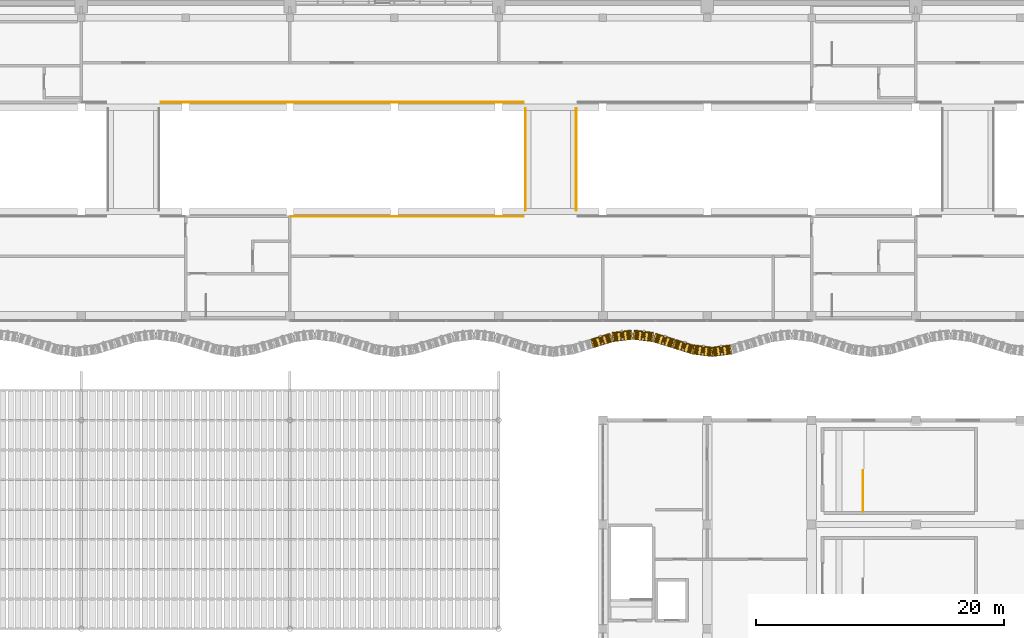
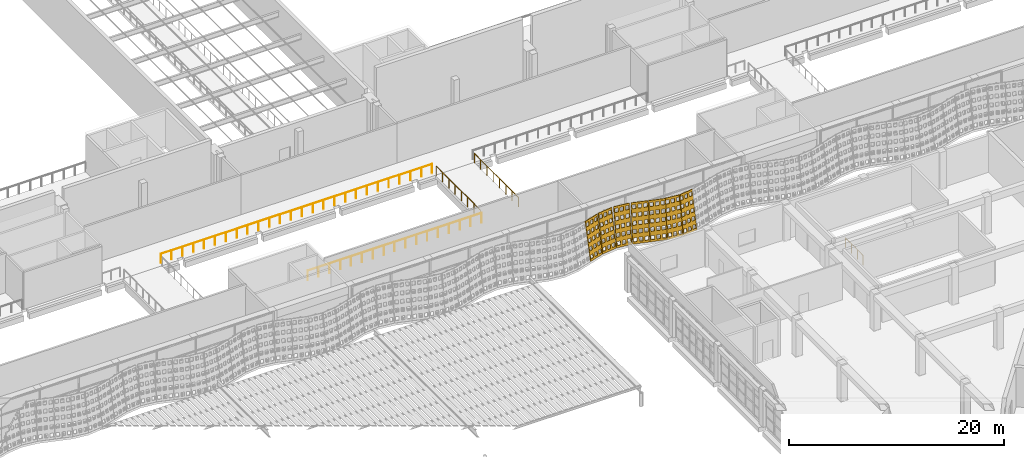
# One storey, part 145 of 162: 7 coverings, 5 railings.
"""IFC4 building model written with IfcOpenShell, lengths in metres."""

from ifc_helpers import new_model, si_unit, direction, frame, origin, origin_2d, place, context, subcontext, project, spatial, polyline, circle, outline, extrude, material, layer, layer_set, type_object, element, save


model = new_model("IFC4")

# Units and contexts
model_context = context("Model", 3, precision=1e-05, world=origin(), true_north=direction((0.0, 1.0)))
body_context = subcontext(model_context, "Body", "Model", "MODEL_VIEW")
ifc_project = project(units=[si_unit("LENGTHUNIT", "METRE"), si_unit("AREAUNIT", "SQUARE_METRE"), si_unit("VOLUMEUNIT", "CUBIC_METRE"), si_unit("PLANEANGLEUNIT", "RADIAN"), si_unit("MASSUNIT", "GRAM", prefix="KILO")], contexts=[model_context])

# Site, building, storey
site_placement = place(None, origin())
site = spatial("IfcSite", under=ifc_project, at=site_placement, CompositionType="ELEMENT")
building_placement = place(site_placement, origin())
building = spatial("IfcBuilding", under=site, at=building_placement, Name="Rain Tree Exposition and Congress Centre", CompositionType="ELEMENT")
storey_placement = place(building_placement, frame((0.0, 0.0, 6.0)))
storey = spatial("IfcBuildingStorey", under=building, at=storey_placement, Name="L01", CompositionType="ELEMENT", Elevation=6.0)

# Railings
ifc_material_1 = material(Name="Aluminium and glass balustrade", Category="aluminium")
railing_type_1 = type_object("IfcRailingType", Name="Concourse guard 1100", PredefinedType="GUARDRAIL", material=ifc_material_1)
railing_1_placement = place(storey_placement, frame((126.10009765625, 83.60009765625, 0.0)))
element("IfcRailing", 1, at=railing_1_placement, inside=storey, type_object=railing_type_1, Name="Concourse promenade guard 8", PredefinedType="GUARDRAIL", context=body_context, shape_type="SweptSolid", body=[
    extrude(circle(Radius=0.02392578125, at=origin_2d()), frame((0.0, 0.0, 1.076171875), z_axis=(1.0, 0.0, 0.0), x_axis=(0.0, 1.0, 0.0)), (0.0, 0.0, 1.0), 18.699951171875),
    extrude(circle(Radius=0.02099609375, at=origin_2d()), origin(), (0.0, 0.0, 1.0), 1.052001953125),
    extrude(circle(Radius=0.02099609375, at=origin_2d()), frame((1.168701171875, 0.0, 0.0)), (0.0, 0.0, 1.0), 1.052001953125),
    extrude(circle(Radius=0.02099609375, at=origin_2d()), frame((2.33740234375, 0.0, 0.0)), (0.0, 0.0, 1.0), 1.052001953125),
    extrude(circle(Radius=0.02099609375, at=origin_2d()), frame((3.50634765625, 0.0, 0.0)), (0.0, 0.0, 1.0), 1.052001953125),
    extrude(circle(Radius=0.02099609375, at=origin_2d()), frame((4.675048828125, 0.0, 0.0)), (0.0, 0.0, 1.0), 1.052001953125),
    extrude(circle(Radius=0.02099609375, at=origin_2d()), frame((5.84375, 0.0, 0.0)), (0.0, 0.0, 1.0), 1.052001953125),
    extrude(circle(Radius=0.02099609375, at=origin_2d()), frame((7.012451171875, 0.0, 0.0)), (0.0, 0.0, 1.0), 1.052001953125),
    extrude(circle(Radius=0.02099609375, at=origin_2d()), frame((8.18115234375, 0.0, 0.0)), (0.0, 0.0, 1.0), 1.052001953125),
    extrude(circle(Radius=0.02099609375, at=origin_2d()), frame((9.35009765625, 0.0, 0.0)), (0.0, 0.0, 1.0), 1.052001953125),
    extrude(circle(Radius=0.02099609375, at=origin_2d()), frame((10.518798828125, 0.0, 0.0)), (0.0, 0.0, 1.0), 1.052001953125),
    extrude(circle(Radius=0.02099609375, at=origin_2d()), frame((11.6875, 0.0, 0.0)), (0.0, 0.0, 1.0), 1.052001953125),
    extrude(circle(Radius=0.02099609375, at=origin_2d()), frame((12.856201171875, 0.0, 0.0)), (0.0, 0.0, 1.0), 1.052001953125),
    extrude(circle(Radius=0.02099609375, at=origin_2d()), frame((14.02490234375, 0.0, 0.0)), (0.0, 0.0, 1.0), 1.052001953125),
    extrude(circle(Radius=0.02099609375, at=origin_2d()), frame((15.193603515625, 0.0, 0.0)), (0.0, 0.0, 1.0), 1.052001953125),
    extrude(circle(Radius=0.02099609375, at=origin_2d()), frame((16.362548828125, 0.0, 0.0)), (0.0, 0.0, 1.0), 1.052001953125),
    extrude(circle(Radius=0.02099609375, at=origin_2d()), frame((17.53125, 0.0, 0.0)), (0.0, 0.0, 1.0), 1.052001953125),
    extrude(circle(Radius=0.02099609375, at=origin_2d()), frame((18.699951171875, 0.0, 0.0)), (0.0, 0.0, 1.0), 1.052001953125),
])
railing_2_placement = place(storey_placement, frame((115.60009765625, 92.800048828125, 0.0)))
element("IfcRailing", 2, at=railing_2_placement, inside=storey, type_object=railing_type_1, Name="Concourse promenade guard 22", PredefinedType="GUARDRAIL", context=body_context, shape_type="SweptSolid", body=[
    extrude(circle(Radius=0.02392578125, at=origin_2d()), frame((0.0, 0.0, 1.076171875), z_axis=(1.0, 0.0, 0.0), x_axis=(0.0, 1.0, 0.0)), (0.0, 0.0, 1.0), 29.199951171875),
    extrude(circle(Radius=0.02099609375, at=origin_2d()), origin(), (0.0, 0.0, 1.0), 1.052001953125),
    extrude(circle(Radius=0.02099609375, at=origin_2d()), frame((1.16796875, 0.0, 0.0)), (0.0, 0.0, 1.0), 1.052001953125),
    extrude(circle(Radius=0.02099609375, at=origin_2d()), frame((2.3359375, 0.0, 0.0)), (0.0, 0.0, 1.0), 1.052001953125),
    extrude(circle(Radius=0.02099609375, at=origin_2d()), frame((3.50390625, 0.0, 0.0)), (0.0, 0.0, 1.0), 1.052001953125),
    extrude(circle(Radius=0.02099609375, at=origin_2d()), frame((4.671875, 0.0, 0.0)), (0.0, 0.0, 1.0), 1.052001953125),
    extrude(circle(Radius=0.02099609375, at=origin_2d()), frame((5.840087890625, 0.0, 0.0)), (0.0, 0.0, 1.0), 1.052001953125),
    extrude(circle(Radius=0.02099609375, at=origin_2d()), frame((7.008056640625, 0.0, 0.0)), (0.0, 0.0, 1.0), 1.052001953125),
    extrude(circle(Radius=0.02099609375, at=origin_2d()), frame((8.176025390625, 0.0, 0.0)), (0.0, 0.0, 1.0), 1.052001953125),
    extrude(circle(Radius=0.02099609375, at=origin_2d()), frame((9.343994140625, 0.0, 0.0)), (0.0, 0.0, 1.0), 1.052001953125),
    extrude(circle(Radius=0.02099609375, at=origin_2d()), frame((10.511962890625, 0.0, 0.0)), (0.0, 0.0, 1.0), 1.052001953125),
    extrude(circle(Radius=0.02099609375, at=origin_2d()), frame((11.679931640625, 0.0, 0.0)), (0.0, 0.0, 1.0), 1.052001953125),
    extrude(circle(Radius=0.02099609375, at=origin_2d()), frame((12.847900390625, 0.0, 0.0)), (0.0, 0.0, 1.0), 1.052001953125),
    extrude(circle(Radius=0.02099609375, at=origin_2d()), frame((14.015869140625, 0.0, 0.0)), (0.0, 0.0, 1.0), 1.052001953125),
    extrude(circle(Radius=0.02099609375, at=origin_2d()), frame((15.18408203125, 0.0, 0.0)), (0.0, 0.0, 1.0), 1.052001953125),
    extrude(circle(Radius=0.02099609375, at=origin_2d()), frame((16.35205078125, 0.0, 0.0)), (0.0, 0.0, 1.0), 1.052001953125),
    extrude(circle(Radius=0.02099609375, at=origin_2d()), frame((17.52001953125, 0.0, 0.0)), (0.0, 0.0, 1.0), 1.052001953125),
    extrude(circle(Radius=0.02099609375, at=origin_2d()), frame((18.68798828125, 0.0, 0.0)), (0.0, 0.0, 1.0), 1.052001953125),
    extrude(circle(Radius=0.02099609375, at=origin_2d()), frame((19.85595703125, 0.0, 0.0)), (0.0, 0.0, 1.0), 1.052001953125),
    extrude(circle(Radius=0.02099609375, at=origin_2d()), frame((21.02392578125, 0.0, 0.0)), (0.0, 0.0, 1.0), 1.052001953125),
    extrude(circle(Radius=0.02099609375, at=origin_2d()), frame((22.19189453125, 0.0, 0.0)), (0.0, 0.0, 1.0), 1.052001953125),
    extrude(circle(Radius=0.02099609375, at=origin_2d()), frame((23.35986328125, 0.0, 0.0)), (0.0, 0.0, 1.0), 1.052001953125),
    extrude(circle(Radius=0.02099609375, at=origin_2d()), frame((24.528076171875, 0.0, 0.0)), (0.0, 0.0, 1.0), 1.052001953125),
    extrude(circle(Radius=0.02099609375, at=origin_2d()), frame((25.696044921875, 0.0, 0.0)), (0.0, 0.0, 1.0), 1.052001953125),
    extrude(circle(Radius=0.02099609375, at=origin_2d()), frame((26.864013671875, 0.0, 0.0)), (0.0, 0.0, 1.0), 1.052001953125),
    extrude(circle(Radius=0.02099609375, at=origin_2d()), frame((28.031982421875, 0.0, 0.0)), (0.0, 0.0, 1.0), 1.052001953125),
    extrude(circle(Radius=0.02099609375, at=origin_2d()), frame((29.199951171875, 0.0, 0.0)), (0.0, 0.0, 1.0), 1.052001953125),
])
for number, where, name in (
    (3, (144.949951171875, 84.10009765625, 0.0), "Concourse bridge guard 5.1"),
    (4, (149.050048828125, 84.10009765625, 0.0), "Concourse bridge guard 5.2"),
):
    element("IfcRailing", number, at=place(storey_placement, frame(where)), inside=storey, type_object=railing_type_1, Name=name, PredefinedType="GUARDRAIL", context=body_context, shape_type="SweptSolid", body=[
        extrude(circle(Radius=0.02392578125, at=origin_2d()), frame((0.0, 0.0, 1.076171875), z_axis=(0.0, 1.0, 0.0), x_axis=(-1.0, 0.0, 0.0)), (0.0, 0.0, 1.0), 8.199951171875),
        extrude(circle(Radius=0.02099609375, at=origin_2d()), origin(), (0.0, 0.0, 1.0), 1.052001953125),
        extrude(circle(Radius=0.02099609375, at=origin_2d()), frame((0.0, 1.17138671875, 0.0)), (0.0, 0.0, 1.0), 1.052001953125),
        extrude(circle(Radius=0.02099609375, at=origin_2d()), frame((0.0, 2.3427734375, 0.0)), (0.0, 0.0, 1.0), 1.052001953125),
        extrude(circle(Radius=0.02099609375, at=origin_2d()), frame((0.0, 3.51416015625, 0.0)), (0.0, 0.0, 1.0), 1.052001953125),
        extrude(circle(Radius=0.02099609375, at=origin_2d()), frame((0.0, 4.685791015625, 0.0)), (0.0, 0.0, 1.0), 1.052001953125),
        extrude(circle(Radius=0.02099609375, at=origin_2d()), frame((0.0, 5.857177734375, 0.0)), (0.0, 0.0, 1.0), 1.052001953125),
        extrude(circle(Radius=0.02099609375, at=origin_2d()), frame((0.0, 7.028564453125, 0.0)), (0.0, 0.0, 1.0), 1.052001953125),
        extrude(circle(Radius=0.02099609375, at=origin_2d()), frame((0.0, 8.199951171875, 0.0)), (0.0, 0.0, 1.0), 1.052001953125),
    ])
ifc_material_2 = material(Name="Steel S355J2H", Category="steel")
railing_type_2 = type_object("IfcRailingType", Name="Steel guard 1100", PredefinedType="GUARDRAIL", material=ifc_material_2)
railing_3_placement = place(storey_placement, frame((172.14990234375, 59.85009765625, 0.0)))
element("IfcRailing", 5, at=railing_3_placement, inside=storey, type_object=railing_type_2, Name="L01 ST-G4 top well guard 1", PredefinedType="GUARDRAIL", context=body_context, shape_type="SweptSolid", body=[
    extrude(circle(Radius=0.02392578125, at=origin_2d()), frame((0.0, 0.0, 1.076171875), z_axis=(0.0, 1.0, 0.0), x_axis=(-1.0, 0.0, 0.0)), (0.0, 0.0, 1.0), 3.2998046875),
    extrude(circle(Radius=0.02099609375, at=origin_2d()), origin(), (0.0, 0.0, 1.0), 1.052001953125),
    extrude(circle(Radius=0.02099609375, at=origin_2d()), frame((0.0, 1.099853515625, 0.0)), (0.0, 0.0, 1.0), 1.052001953125),
    extrude(circle(Radius=0.02099609375, at=origin_2d()), frame((0.0, 2.199951171875, 0.0)), (0.0, 0.0, 1.0), 1.052001953125),
    extrude(circle(Radius=0.02099609375, at=origin_2d()), frame((0.0, 3.2998046875, 0.0)), (0.0, 0.0, 1.0), 1.052001953125),
])

# Coverings
ifc_material_3 = material(Name="Perforated terracotta", Category="masonry")
ifc_layer = layer(ifc_material_3, 0.080078125)
ifc_layer_set = layer_set([ifc_layer], Name="Perforated terracotta")
covering_type = type_object("IfcCoveringType", Name="Terracotta screen 80", PredefinedType="CLADDING", material=ifc_layer_set)
covering_1_placement = place(storey_placement, frame((150.3994140625, 73.001708984375, 0.0126953125), z_axis=(-0.290138898064, 0.943714942124, -0.158812870519), x_axis=(-0.955845867297, -0.293868470528, 0.0)))
element("IfcCovering", 6, at=covering_1_placement, inside=storey, type_object=covering_type, Name="concourse/screen/L01/095", PredefinedType="CLADDING", context=body_context, shape_type="SweptSolid", body=[
    extrude(outline(polyline([(-1.659912109375, 0.0), (-1.659912109375, 4.29150390625), (-0.014892578125, 4.29150390625), (-0.014892578125, 0.0), (-1.659912109375, 0.0)]), holes=[polyline([(-0.119140625, 0.221435546875), (-0.119140625, 0.63671875), (-0.458984375, 0.63671875), (-0.458984375, 0.221435546875), (-0.119140625, 0.221435546875)]), polyline([(-0.119140625, 1.079833984375), (-0.119140625, 1.4951171875), (-0.458984375, 1.4951171875), (-0.458984375, 1.079833984375), (-0.119140625, 1.079833984375)]), polyline([(-0.119140625, 1.93798828125), (-0.119140625, 2.353271484375), (-0.458984375, 2.353271484375), (-0.458984375, 1.93798828125), (-0.119140625, 1.93798828125)]), polyline([(-0.119140625, 2.79638671875), (-0.119140625, 3.211669921875), (-0.458984375, 3.211669921875), (-0.458984375, 2.79638671875), (-0.119140625, 2.79638671875)]), polyline([(-0.119140625, 3.654541015625), (-0.119140625, 4.06982421875), (-0.458984375, 4.06982421875), (-0.458984375, 3.654541015625), (-0.119140625, 3.654541015625)]), polyline([(-0.66748046875, 0.221435546875), (-0.66748046875, 0.63671875), (-1.00732421875, 0.63671875), (-1.00732421875, 0.221435546875), (-0.66748046875, 0.221435546875)]), polyline([(-0.66748046875, 1.079833984375), (-0.66748046875, 1.4951171875), (-1.00732421875, 1.4951171875), (-1.00732421875, 1.079833984375), (-0.66748046875, 1.079833984375)]), polyline([(-0.66748046875, 1.93798828125), (-0.66748046875, 2.353271484375), (-1.00732421875, 2.353271484375), (-1.00732421875, 1.93798828125), (-0.66748046875, 1.93798828125)]), polyline([(-0.66748046875, 2.79638671875), (-0.66748046875, 3.211669921875), (-1.00732421875, 3.211669921875), (-1.00732421875, 2.79638671875), (-0.66748046875, 2.79638671875)]), polyline([(-0.66748046875, 3.654541015625), (-0.66748046875, 4.06982421875), (-1.00732421875, 4.06982421875), (-1.00732421875, 3.654541015625), (-0.66748046875, 3.654541015625)]), polyline([(-1.2158203125, 0.221435546875), (-1.2158203125, 0.63671875), (-1.5556640625, 0.63671875), (-1.5556640625, 0.221435546875), (-1.2158203125, 0.221435546875)]), polyline([(-1.2158203125, 1.079833984375), (-1.2158203125, 1.4951171875), (-1.5556640625, 1.4951171875), (-1.5556640625, 1.079833984375), (-1.2158203125, 1.079833984375)]), polyline([(-1.2158203125, 1.93798828125), (-1.2158203125, 2.353271484375), (-1.5556640625, 2.353271484375), (-1.5556640625, 1.93798828125), (-1.2158203125, 1.93798828125)]), polyline([(-1.2158203125, 2.79638671875), (-1.2158203125, 3.211669921875), (-1.5556640625, 3.211669921875), (-1.5556640625, 2.79638671875), (-1.2158203125, 2.79638671875)]), polyline([(-1.2158203125, 3.654541015625), (-1.2158203125, 4.06982421875), (-1.5556640625, 4.06982421875), (-1.5556640625, 3.654541015625), (-1.2158203125, 3.654541015625)])]), origin(), (0.0, 0.0, 1.0), 0.079833984375),
])
covering_2_placement = place(storey_placement, frame((151.999755859375, 73.496826171875, 0.01318359375), z_axis=(-0.124968640969, 0.978413018317, -0.164592844203), x_axis=(-0.991941518713, -0.126696580272, 0.0)))
element("IfcCovering", 7, at=covering_2_placement, inside=storey, type_object=covering_type, Name="concourse/screen/L01/096", PredefinedType="CLADDING", context=body_context, shape_type="SweptSolid", body=[
    extrude(outline(polyline([(-1.59814453125, 0.0), (-1.59814453125, 4.295166015625), (-0.014892578125, 4.295166015625), (-0.014892578125, 0.0), (-1.59814453125, 0.0)]), holes=[polyline([(-0.115234375, 0.2216796875), (-0.115234375, 0.63720703125), (-0.4423828125, 0.63720703125), (-0.4423828125, 0.2216796875), (-0.115234375, 0.2216796875)]), polyline([(-0.115234375, 1.080810546875), (-0.115234375, 1.496337890625), (-0.4423828125, 1.496337890625), (-0.4423828125, 1.080810546875), (-0.115234375, 1.080810546875)]), polyline([(-0.115234375, 1.939697265625), (-0.115234375, 2.35546875), (-0.4423828125, 2.35546875), (-0.4423828125, 1.939697265625), (-0.115234375, 1.939697265625)]), polyline([(-0.115234375, 2.798583984375), (-0.115234375, 3.21435546875), (-0.4423828125, 3.21435546875), (-0.4423828125, 2.798583984375), (-0.115234375, 2.798583984375)]), polyline([(-0.115234375, 3.65771484375), (-0.115234375, 4.073486328125), (-0.4423828125, 4.073486328125), (-0.4423828125, 3.65771484375), (-0.115234375, 3.65771484375)]), polyline([(-0.64306640625, 0.2216796875), (-0.64306640625, 0.63720703125), (-0.97021484375, 0.63720703125), (-0.97021484375, 0.2216796875), (-0.64306640625, 0.2216796875)]), polyline([(-0.64306640625, 1.080810546875), (-0.64306640625, 1.496337890625), (-0.97021484375, 1.496337890625), (-0.97021484375, 1.080810546875), (-0.64306640625, 1.080810546875)]), polyline([(-0.64306640625, 1.939697265625), (-0.64306640625, 2.35546875), (-0.97021484375, 2.35546875), (-0.97021484375, 1.939697265625), (-0.64306640625, 1.939697265625)]), polyline([(-0.64306640625, 2.798583984375), (-0.64306640625, 3.21435546875), (-0.97021484375, 3.21435546875), (-0.97021484375, 2.798583984375), (-0.64306640625, 2.798583984375)]), polyline([(-0.64306640625, 3.65771484375), (-0.64306640625, 4.073486328125), (-0.97021484375, 4.073486328125), (-0.97021484375, 3.65771484375), (-0.64306640625, 3.65771484375)]), polyline([(-1.170654296875, 0.2216796875), (-1.170654296875, 0.63720703125), (-1.497802734375, 0.63720703125), (-1.497802734375, 0.2216796875), (-1.170654296875, 0.2216796875)]), polyline([(-1.170654296875, 1.080810546875), (-1.170654296875, 1.496337890625), (-1.497802734375, 1.496337890625), (-1.497802734375, 1.080810546875), (-1.170654296875, 1.080810546875)]), polyline([(-1.170654296875, 1.939697265625), (-1.170654296875, 2.35546875), (-1.497802734375, 2.35546875), (-1.497802734375, 1.939697265625), (-1.170654296875, 1.939697265625)]), polyline([(-1.170654296875, 2.798583984375), (-1.170654296875, 3.21435546875), (-1.497802734375, 3.21435546875), (-1.497802734375, 2.798583984375), (-1.170654296875, 2.798583984375)]), polyline([(-1.170654296875, 3.65771484375), (-1.170654296875, 4.073486328125), (-1.497802734375, 4.073486328125), (-1.497802734375, 3.65771484375), (-1.170654296875, 3.65771484375)])]), origin(), (0.0, 0.0, 1.0), 0.080078125),
])
covering_3_placement = place(storey_placement, frame((153.600341796875, 73.701904296875, 0.01318359375), z_axis=(0.125342414455, 0.978282259159, -0.165085131233), x_axis=(-0.991891686382, 0.127086122318, 0.0)))
element("IfcCovering", 8, at=covering_3_placement, inside=storey, type_object=covering_type, Name="concourse/screen/L01/097", PredefinedType="CLADDING", context=body_context, shape_type="SweptSolid", body=[
    extrude(outline(polyline([(-1.59814453125, 0.0), (-1.59814453125, 4.295166015625), (-0.014892578125, 4.295166015625), (-0.014892578125, 0.0), (-1.59814453125, 0.0)]), holes=[polyline([(-0.115234375, 0.2216796875), (-0.115234375, 0.63720703125), (-0.4423828125, 0.63720703125), (-0.4423828125, 0.2216796875), (-0.115234375, 0.2216796875)]), polyline([(-0.115234375, 1.080810546875), (-0.115234375, 1.496337890625), (-0.4423828125, 1.496337890625), (-0.4423828125, 1.080810546875), (-0.115234375, 1.080810546875)]), polyline([(-0.115234375, 1.939697265625), (-0.115234375, 2.35546875), (-0.4423828125, 2.35546875), (-0.4423828125, 1.939697265625), (-0.115234375, 1.939697265625)]), polyline([(-0.115234375, 2.798583984375), (-0.115234375, 3.21435546875), (-0.4423828125, 3.21435546875), (-0.4423828125, 2.798583984375), (-0.115234375, 2.798583984375)]), polyline([(-0.115234375, 3.65771484375), (-0.115234375, 4.073486328125), (-0.4423828125, 4.073486328125), (-0.4423828125, 3.65771484375), (-0.115234375, 3.65771484375)]), polyline([(-0.64306640625, 0.2216796875), (-0.64306640625, 0.63720703125), (-0.97021484375, 0.63720703125), (-0.97021484375, 0.2216796875), (-0.64306640625, 0.2216796875)]), polyline([(-0.64306640625, 1.080810546875), (-0.64306640625, 1.496337890625), (-0.97021484375, 1.496337890625), (-0.97021484375, 1.080810546875), (-0.64306640625, 1.080810546875)]), polyline([(-0.64306640625, 1.939697265625), (-0.64306640625, 2.35546875), (-0.97021484375, 2.35546875), (-0.97021484375, 1.939697265625), (-0.64306640625, 1.939697265625)]), polyline([(-0.64306640625, 2.798583984375), (-0.64306640625, 3.21435546875), (-0.97021484375, 3.21435546875), (-0.97021484375, 2.798583984375), (-0.64306640625, 2.798583984375)]), polyline([(-0.64306640625, 3.65771484375), (-0.64306640625, 4.073486328125), (-0.97021484375, 4.073486328125), (-0.97021484375, 3.65771484375), (-0.64306640625, 3.65771484375)]), polyline([(-1.170654296875, 0.2216796875), (-1.170654296875, 0.63720703125), (-1.497802734375, 0.63720703125), (-1.497802734375, 0.2216796875), (-1.170654296875, 0.2216796875)]), polyline([(-1.170654296875, 1.080810546875), (-1.170654296875, 1.496337890625), (-1.497802734375, 1.496337890625), (-1.497802734375, 1.080810546875), (-1.170654296875, 1.080810546875)]), polyline([(-1.170654296875, 1.939697265625), (-1.170654296875, 2.35546875), (-1.497802734375, 2.35546875), (-1.497802734375, 1.939697265625), (-1.170654296875, 1.939697265625)]), polyline([(-1.170654296875, 2.798583984375), (-1.170654296875, 3.21435546875), (-1.497802734375, 3.21435546875), (-1.497802734375, 2.798583984375), (-1.170654296875, 2.798583984375)]), polyline([(-1.170654296875, 3.65771484375), (-1.170654296875, 4.073486328125), (-1.497802734375, 4.073486328125), (-1.497802734375, 3.65771484375), (-1.170654296875, 3.65771484375)])]), origin(), (0.0, 0.0, 1.0), 0.079833984375),
])
covering_4_placement = place(storey_placement, frame((155.20068359375, 73.49658203125, 0.0126953125), z_axis=(0.290138898064, 0.943714942124, -0.158812870519), x_axis=(-0.955845867297, 0.293868470528, 0.0)))
element("IfcCovering", 9, at=covering_4_placement, inside=storey, type_object=covering_type, Name="concourse/screen/L01/098", PredefinedType="CLADDING", context=body_context, shape_type="SweptSolid", body=[
    extrude(outline(polyline([(-1.659912109375, 0.0), (-1.659912109375, 4.29150390625), (-0.014892578125, 4.29150390625), (-0.014892578125, 0.0), (-1.659912109375, 0.0)]), holes=[polyline([(-0.119140625, 0.221435546875), (-0.119140625, 0.63671875), (-0.458984375, 0.63671875), (-0.458984375, 0.221435546875), (-0.119140625, 0.221435546875)]), polyline([(-0.119140625, 1.079833984375), (-0.119140625, 1.4951171875), (-0.458984375, 1.4951171875), (-0.458984375, 1.079833984375), (-0.119140625, 1.079833984375)]), polyline([(-0.119140625, 1.93798828125), (-0.119140625, 2.353271484375), (-0.458984375, 2.353271484375), (-0.458984375, 1.93798828125), (-0.119140625, 1.93798828125)]), polyline([(-0.119140625, 2.79638671875), (-0.119140625, 3.211669921875), (-0.458984375, 3.211669921875), (-0.458984375, 2.79638671875), (-0.119140625, 2.79638671875)]), polyline([(-0.119140625, 3.654541015625), (-0.119140625, 4.06982421875), (-0.458984375, 4.06982421875), (-0.458984375, 3.654541015625), (-0.119140625, 3.654541015625)]), polyline([(-0.66748046875, 0.221435546875), (-0.66748046875, 0.63671875), (-1.00732421875, 0.63671875), (-1.00732421875, 0.221435546875), (-0.66748046875, 0.221435546875)]), polyline([(-0.66748046875, 1.079833984375), (-0.66748046875, 1.4951171875), (-1.00732421875, 1.4951171875), (-1.00732421875, 1.079833984375), (-0.66748046875, 1.079833984375)]), polyline([(-0.66748046875, 1.93798828125), (-0.66748046875, 2.353271484375), (-1.00732421875, 2.353271484375), (-1.00732421875, 1.93798828125), (-0.66748046875, 1.93798828125)]), polyline([(-0.66748046875, 2.79638671875), (-0.66748046875, 3.211669921875), (-1.00732421875, 3.211669921875), (-1.00732421875, 2.79638671875), (-0.66748046875, 2.79638671875)]), polyline([(-0.66748046875, 3.654541015625), (-0.66748046875, 4.06982421875), (-1.00732421875, 4.06982421875), (-1.00732421875, 3.654541015625), (-0.66748046875, 3.654541015625)]), polyline([(-1.2158203125, 0.221435546875), (-1.2158203125, 0.63671875), (-1.5556640625, 0.63671875), (-1.5556640625, 0.221435546875), (-1.2158203125, 0.221435546875)]), polyline([(-1.2158203125, 1.079833984375), (-1.2158203125, 1.4951171875), (-1.5556640625, 1.4951171875), (-1.5556640625, 1.079833984375), (-1.2158203125, 1.079833984375)]), polyline([(-1.2158203125, 1.93798828125), (-1.2158203125, 2.353271484375), (-1.5556640625, 2.353271484375), (-1.5556640625, 1.93798828125), (-1.2158203125, 1.93798828125)]), polyline([(-1.2158203125, 2.79638671875), (-1.2158203125, 3.211669921875), (-1.5556640625, 3.211669921875), (-1.5556640625, 2.79638671875), (-1.2158203125, 2.79638671875)]), polyline([(-1.2158203125, 3.654541015625), (-1.2158203125, 4.06982421875), (-1.5556640625, 4.06982421875), (-1.5556640625, 3.654541015625), (-1.2158203125, 3.654541015625)])]), origin(), (0.0, 0.0, 1.0), 0.079833984375),
])
covering_5_placement = place(storey_placement, frame((156.800537109375, 73.001708984375, 0.0126953125), z_axis=(0.292932171154, 0.942875425902, -0.158671592708), x_axis=(-0.954973588716, 0.296690823679, 0.0)))
element("IfcCovering", 10, at=covering_5_placement, inside=storey, type_object=covering_type, Name="concourse/screen/L01/099", PredefinedType="CLADDING", context=body_context, shape_type="SweptSolid", body=[
    extrude(outline(polyline([(-1.65283203125, 0.0), (-1.65283203125, 4.29150390625), (-0.014892578125, 4.29150390625), (-0.014892578125, 0.0), (-1.65283203125, 0.0)]), holes=[polyline([(-0.11865234375, 0.221435546875), (-0.11865234375, 0.63671875), (-0.457275390625, 0.63671875), (-0.457275390625, 0.221435546875), (-0.11865234375, 0.221435546875)]), polyline([(-0.11865234375, 1.079833984375), (-0.11865234375, 1.4951171875), (-0.457275390625, 1.4951171875), (-0.457275390625, 1.079833984375), (-0.11865234375, 1.079833984375)]), polyline([(-0.11865234375, 1.93798828125), (-0.11865234375, 2.353271484375), (-0.457275390625, 2.353271484375), (-0.457275390625, 1.93798828125), (-0.11865234375, 1.93798828125)]), polyline([(-0.11865234375, 2.79638671875), (-0.11865234375, 3.211669921875), (-0.457275390625, 3.211669921875), (-0.457275390625, 2.79638671875), (-0.11865234375, 2.79638671875)]), polyline([(-0.11865234375, 3.654541015625), (-0.11865234375, 4.06982421875), (-0.457275390625, 4.06982421875), (-0.457275390625, 3.654541015625), (-0.11865234375, 3.654541015625)]), polyline([(-0.664794921875, 0.221435546875), (-0.664794921875, 0.63671875), (-1.003173828125, 0.63671875), (-1.003173828125, 0.221435546875), (-0.664794921875, 0.221435546875)]), polyline([(-0.664794921875, 1.079833984375), (-0.664794921875, 1.4951171875), (-1.003173828125, 1.4951171875), (-1.003173828125, 1.079833984375), (-0.664794921875, 1.079833984375)]), polyline([(-0.664794921875, 1.93798828125), (-0.664794921875, 2.353271484375), (-1.003173828125, 2.353271484375), (-1.003173828125, 1.93798828125), (-0.664794921875, 1.93798828125)]), polyline([(-0.664794921875, 2.79638671875), (-0.664794921875, 3.211669921875), (-1.003173828125, 3.211669921875), (-1.003173828125, 2.79638671875), (-0.664794921875, 2.79638671875)]), polyline([(-0.664794921875, 3.654541015625), (-0.664794921875, 4.06982421875), (-1.003173828125, 4.06982421875), (-1.003173828125, 3.654541015625), (-0.664794921875, 3.654541015625)]), polyline([(-1.210693359375, 0.221435546875), (-1.210693359375, 0.63671875), (-1.54931640625, 0.63671875), (-1.54931640625, 0.221435546875), (-1.210693359375, 0.221435546875)]), polyline([(-1.210693359375, 1.079833984375), (-1.210693359375, 1.4951171875), (-1.54931640625, 1.4951171875), (-1.54931640625, 1.079833984375), (-1.210693359375, 1.079833984375)]), polyline([(-1.210693359375, 1.93798828125), (-1.210693359375, 2.353271484375), (-1.54931640625, 2.353271484375), (-1.54931640625, 1.93798828125), (-1.210693359375, 1.93798828125)]), polyline([(-1.210693359375, 2.79638671875), (-1.210693359375, 3.211669921875), (-1.54931640625, 3.211669921875), (-1.54931640625, 2.79638671875), (-1.210693359375, 2.79638671875)]), polyline([(-1.210693359375, 3.654541015625), (-1.210693359375, 4.06982421875), (-1.54931640625, 4.06982421875), (-1.54931640625, 3.654541015625), (-1.210693359375, 3.654541015625)])]), origin(), (0.0, 0.0, 1.0), 0.080078125),
])
covering_6_placement = place(storey_placement, frame((158.400390625, 72.5068359375, 0.01318359375), z_axis=(0.124968640969, 0.978413018317, -0.164592844203), x_axis=(-0.991941518713, 0.126696580272, 0.0)))
element("IfcCovering", 11, at=covering_6_placement, inside=storey, type_object=covering_type, Name="concourse/screen/L01/100", PredefinedType="CLADDING", context=body_context, shape_type="SweptSolid", body=[
    extrude(outline(polyline([(-1.587890625, 0.0), (-1.587890625, 4.295166015625), (-0.02197265625, 4.295166015625), (-0.02197265625, 0.0), (-1.587890625, 0.0)]), holes=[polyline([(-0.12109375, 0.2216796875), (-0.12109375, 0.63720703125), (-0.444580078125, 0.63720703125), (-0.444580078125, 0.2216796875), (-0.12109375, 0.2216796875)]), polyline([(-0.12109375, 1.080810546875), (-0.12109375, 1.496337890625), (-0.444580078125, 1.496337890625), (-0.444580078125, 1.080810546875), (-0.12109375, 1.080810546875)]), polyline([(-0.12109375, 1.939697265625), (-0.12109375, 2.35546875), (-0.444580078125, 2.35546875), (-0.444580078125, 1.939697265625), (-0.12109375, 1.939697265625)]), polyline([(-0.12109375, 2.798583984375), (-0.12109375, 3.21435546875), (-0.444580078125, 3.21435546875), (-0.444580078125, 2.798583984375), (-0.12109375, 2.798583984375)]), polyline([(-0.12109375, 3.65771484375), (-0.12109375, 4.073486328125), (-0.444580078125, 4.073486328125), (-0.444580078125, 3.65771484375), (-0.12109375, 3.65771484375)]), polyline([(-0.64306640625, 0.2216796875), (-0.64306640625, 0.63720703125), (-0.966796875, 0.63720703125), (-0.966796875, 0.2216796875), (-0.64306640625, 0.2216796875)]), polyline([(-0.64306640625, 1.080810546875), (-0.64306640625, 1.496337890625), (-0.966796875, 1.496337890625), (-0.966796875, 1.080810546875), (-0.64306640625, 1.080810546875)]), polyline([(-0.64306640625, 1.939697265625), (-0.64306640625, 2.35546875), (-0.966796875, 2.35546875), (-0.966796875, 1.939697265625), (-0.64306640625, 1.939697265625)]), polyline([(-0.64306640625, 2.798583984375), (-0.64306640625, 3.21435546875), (-0.966796875, 3.21435546875), (-0.966796875, 2.798583984375), (-0.64306640625, 2.798583984375)]), polyline([(-0.64306640625, 3.65771484375), (-0.64306640625, 4.073486328125), (-0.966796875, 4.073486328125), (-0.966796875, 3.65771484375), (-0.64306640625, 3.65771484375)]), polyline([(-1.1650390625, 0.2216796875), (-1.1650390625, 0.63720703125), (-1.48876953125, 0.63720703125), (-1.48876953125, 0.2216796875), (-1.1650390625, 0.2216796875)]), polyline([(-1.1650390625, 1.080810546875), (-1.1650390625, 1.496337890625), (-1.48876953125, 1.496337890625), (-1.48876953125, 1.080810546875), (-1.1650390625, 1.080810546875)]), polyline([(-1.1650390625, 1.939697265625), (-1.1650390625, 2.35546875), (-1.48876953125, 2.35546875), (-1.48876953125, 1.939697265625), (-1.1650390625, 1.939697265625)]), polyline([(-1.1650390625, 2.798583984375), (-1.1650390625, 3.21435546875), (-1.48876953125, 3.21435546875), (-1.48876953125, 2.798583984375), (-1.1650390625, 2.798583984375)]), polyline([(-1.1650390625, 3.65771484375), (-1.1650390625, 4.073486328125), (-1.48876953125, 4.073486328125), (-1.48876953125, 3.65771484375), (-1.1650390625, 3.65771484375)])]), origin(), (0.0, 0.0, 1.0), 0.080078125),
])
covering_7_placement = place(storey_placement, frame((159.999755859375, 72.302001953125, 0.01318359375), z_axis=(-0.125342414455, 0.978282259159, -0.165085131233), x_axis=(-0.991891686382, -0.127086122318, 0.0)))
element("IfcCovering", 12, at=covering_7_placement, inside=storey, type_object=covering_type, Name="concourse/screen/L01/101", PredefinedType="CLADDING", context=body_context, shape_type="SweptSolid", body=[
    extrude(outline(polyline([(-1.59130859375, 0.0), (-1.59130859375, 4.295166015625), (-0.025146484375, 4.295166015625), (-0.025146484375, 0.0), (-1.59130859375, 0.0)]), holes=[polyline([(-0.12451171875, 0.2216796875), (-0.12451171875, 0.63720703125), (-0.447998046875, 0.63720703125), (-0.447998046875, 0.2216796875), (-0.12451171875, 0.2216796875)]), polyline([(-0.12451171875, 1.080810546875), (-0.12451171875, 1.496337890625), (-0.447998046875, 1.496337890625), (-0.447998046875, 1.080810546875), (-0.12451171875, 1.080810546875)]), polyline([(-0.12451171875, 1.939697265625), (-0.12451171875, 2.35546875), (-0.447998046875, 2.35546875), (-0.447998046875, 1.939697265625), (-0.12451171875, 1.939697265625)]), polyline([(-0.12451171875, 2.798583984375), (-0.12451171875, 3.21435546875), (-0.447998046875, 3.21435546875), (-0.447998046875, 2.798583984375), (-0.12451171875, 2.798583984375)]), polyline([(-0.12451171875, 3.65771484375), (-0.12451171875, 4.073486328125), (-0.447998046875, 4.073486328125), (-0.447998046875, 3.65771484375), (-0.12451171875, 3.65771484375)]), polyline([(-0.646484375, 0.2216796875), (-0.646484375, 0.63720703125), (-0.969970703125, 0.63720703125), (-0.969970703125, 0.2216796875), (-0.646484375, 0.2216796875)]), polyline([(-0.646484375, 1.080810546875), (-0.646484375, 1.496337890625), (-0.969970703125, 1.496337890625), (-0.969970703125, 1.080810546875), (-0.646484375, 1.080810546875)]), polyline([(-0.646484375, 1.939697265625), (-0.646484375, 2.35546875), (-0.969970703125, 2.35546875), (-0.969970703125, 1.939697265625), (-0.646484375, 1.939697265625)]), polyline([(-0.646484375, 2.798583984375), (-0.646484375, 3.21435546875), (-0.969970703125, 3.21435546875), (-0.969970703125, 2.798583984375), (-0.646484375, 2.798583984375)]), polyline([(-0.646484375, 3.65771484375), (-0.646484375, 4.073486328125), (-0.969970703125, 4.073486328125), (-0.969970703125, 3.65771484375), (-0.646484375, 3.65771484375)]), polyline([(-1.16845703125, 0.2216796875), (-1.16845703125, 0.63720703125), (-1.491943359375, 0.63720703125), (-1.491943359375, 0.2216796875), (-1.16845703125, 0.2216796875)]), polyline([(-1.16845703125, 1.080810546875), (-1.16845703125, 1.496337890625), (-1.491943359375, 1.496337890625), (-1.491943359375, 1.080810546875), (-1.16845703125, 1.080810546875)]), polyline([(-1.16845703125, 1.939697265625), (-1.16845703125, 2.35546875), (-1.491943359375, 2.35546875), (-1.491943359375, 1.939697265625), (-1.16845703125, 1.939697265625)]), polyline([(-1.16845703125, 2.798583984375), (-1.16845703125, 3.21435546875), (-1.491943359375, 3.21435546875), (-1.491943359375, 2.798583984375), (-1.16845703125, 2.798583984375)]), polyline([(-1.16845703125, 3.65771484375), (-1.16845703125, 4.073486328125), (-1.491943359375, 4.073486328125), (-1.491943359375, 3.65771484375), (-1.16845703125, 3.65771484375)])]), origin(), (0.0, 0.0, 1.0), 0.079833984375),
])

save(model, "model.ifc")
